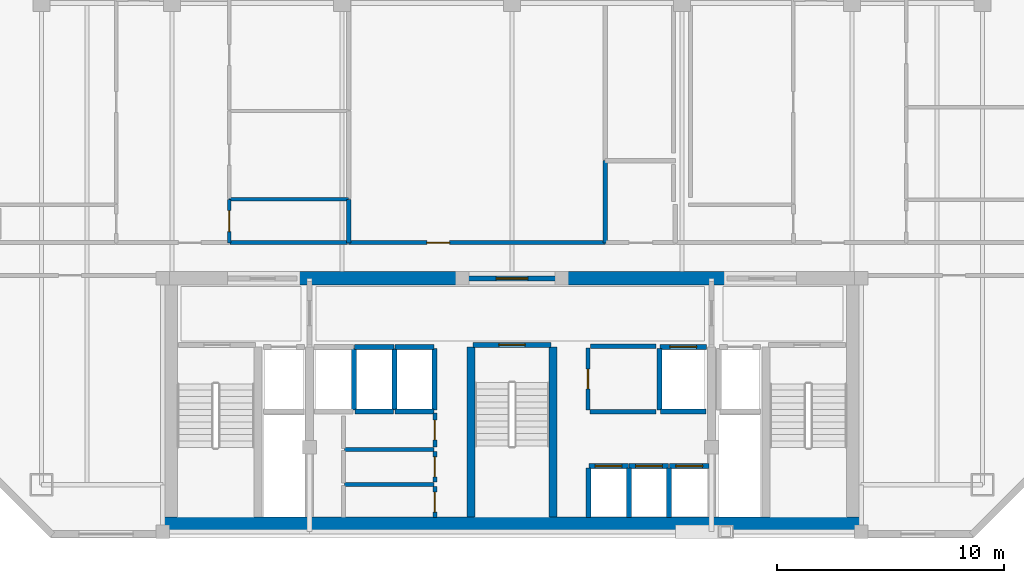
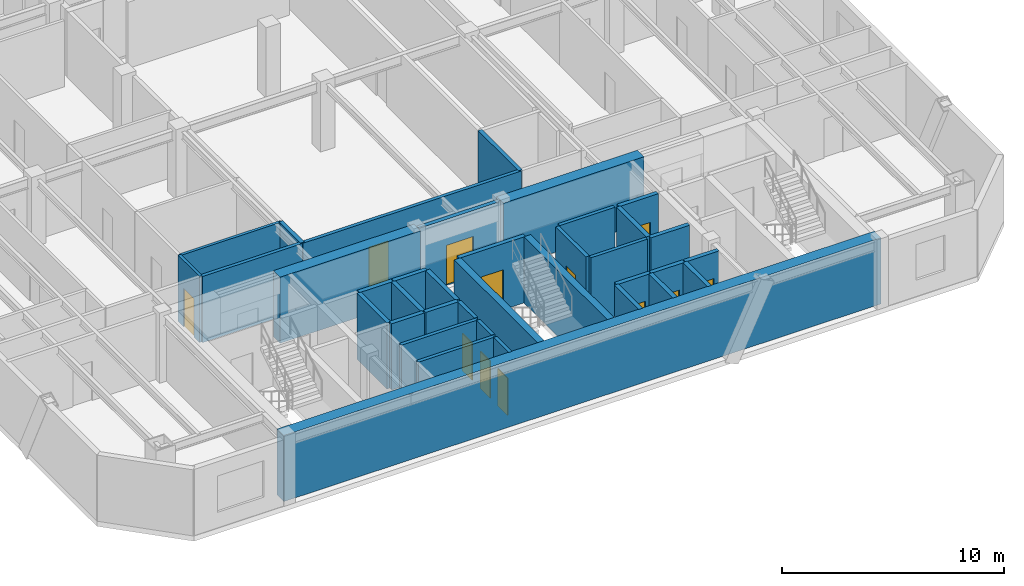
# One storey, part 5 of 9: 37 walls, 12 doors, 12 openings.
"""IFC4 building model written with IfcOpenShell, lengths in metres."""

from ifc_helpers import new_model, si_unit, direction, frame, frame_2d, origin, place, context, subcontext, project, spatial, rectangle, extrude, material, layer, layer_set, type_object, element, fill, save


model = new_model("IFC4")

# Units and contexts
model_context = context("Model", 3, precision=1e-05, world=origin(), true_north=direction((0.0, 1.0)))
body_context = subcontext(model_context, "Body", "Model", "MODEL_VIEW")
ifc_project = project(units=[si_unit("LENGTHUNIT", "METRE"), si_unit("AREAUNIT", "SQUARE_METRE"), si_unit("VOLUMEUNIT", "CUBIC_METRE"), si_unit("PLANEANGLEUNIT", "RADIAN"), si_unit("MASSUNIT", "GRAM", prefix="KILO")], contexts=[model_context])

# Site, building, storey
site_placement = place(None, origin())
site = spatial("IfcSite", under=ifc_project, at=site_placement, CompositionType="ELEMENT")
building_placement = place(site_placement, origin())
building = spatial("IfcBuilding", under=site, at=building_placement, Name="Ventersveld Concourse Tower", CompositionType="ELEMENT")
storey_placement = place(building_placement, frame((0.0, 0.0, 204.14990234375)))
storey = spatial("IfcBuildingStorey", under=building, at=storey_placement, Name="L50", CompositionType="ELEMENT", Elevation=204.14990234375)

# Walls
ifc_material_1 = material(Name="Concrete C50/60", Category="concrete")
ifc_layer_1 = layer(ifc_material_1, 0.35009765625)
ifc_layer_set_1 = layer_set([ifc_layer_1], Name="Concrete C50/60")
wall_type_1 = type_object("IfcWallType", Name="WL-CORE-350U", PredefinedType="SHEAR", material=ifc_layer_set_1)
for number, where, z_axis, x_axis, name in (
    (1, (26.93994140625, 0.919921875, 0.0), (0.0, 0.0, 1.0), (0.0, 1.0, 0.0), "L50 Core Internal Shear Web W-ST3-W"),
    (2, (30.56005859375, 0.919921875, 0.0), (0.0, 0.0, 1.0), (0.0, 1.0, 0.0), "L50 Core Internal Shear Web W-ST3-E"),
):
    element("IfcWall", number, at=place(storey_placement, frame(where, z_axis=z_axis, x_axis=x_axis)), inside=storey, type_object=wall_type_1, Name=name, PredefinedType="SHEAR", context=body_context, shape_type="SweptSolid", body=[
        extrude(rectangle(XDim=7.5, YDim=0.35009765625, at=frame_2d((3.75, 0.0))), origin(), (0.0, 0.0, 1.0), 3.630126953125),
    ])
ifc_layer_2 = layer(ifc_material_1, 0.60009765625)
ifc_layer_set_2 = layer_set([ifc_layer_2], Name="Concrete C50/60")
wall_type_2 = type_object("IfcWallType", Name="WL-CORE-600", PredefinedType="SHEAR", material=ifc_layer_set_2)
wall_1_placement = place(storey_placement, frame((13.25, 0.6201171875, 0.0), z_axis=(0.0, 0.0, 1.0), x_axis=(1.0, 0.0, 0.0)))
element("IfcWall", 3, at=wall_1_placement, inside=storey, type_object=wall_type_2, Name="L50 Rear Core South Shear Wall", PredefinedType="SHEAR", context=body_context, shape_type="SweptSolid", body=[
    extrude(rectangle(XDim=31.0, YDim=0.60009765625, at=frame_2d((15.5, 0.0))), origin(), (0.0, 0.0, 1.0), 3.630126953125),
])
for number, where, z_axis, x_axis, name in (
    (4, (19.300048828125, 11.449951171875, 0.0), (0.0, 0.0, 1.0), (1.0, 0.0, 0.0), "L50 Rear Core North Shear Wall NML"),
    (5, (30.89990234375, 11.449951171875, 0.0), (0.0, 0.0, 1.0), (1.0, 0.0, 0.0), "L50 Rear Core North Shear Wall NMR"),
):
    element("IfcWall", number, at=place(storey_placement, frame(where, z_axis=z_axis, x_axis=x_axis)), inside=storey, type_object=wall_type_2, Name=name, PredefinedType="SHEAR", context=body_context, shape_type="SweptSolid", body=[
        extrude(rectangle(XDim=7.300048828125, YDim=0.60009765625, at=frame_2d((3.64990234375, 0.0))), origin(), (0.0, 0.0, 1.0), 3.630126953125),
    ])

# Wall, opening, door
ifc_material_2 = material(Name="Fire-rated autoclaved aerated masonry blockwork", Category="masonry")
ifc_layer_3 = layer(ifc_material_2, 0.179931640625)
ifc_layer_set_3 = layer_set([ifc_layer_3], Name="Fire-rated autoclaved aerated masonry blockwork")
wall_type_3 = type_object("IfcWallType", Name="WL-CORR-180", PredefinedType="PARTITIONING", material=ifc_layer_set_3)
wall_2_placement = place(storey_placement, frame((25.35009765625, 0.89990234375, 0.0), z_axis=(0.0, 0.0, 1.0), x_axis=(0.0, 1.0, 0.0)))
wall_2 = element("IfcWall", 6, at=wall_2_placement, inside=storey, type_object=wall_type_3, Name="L50 Core Passage Wall SP-L50-RECB1S", PredefinedType="PARTITIONING", context=body_context, shape_type="SweptSolid", body=[
    extrude(rectangle(XDim=1.3701171875, YDim=0.179931640625, at=frame_2d((0.68505859375, 0.0))), origin(), (0.0, 0.0, 1.0), 3.630126953125),
])
opening_1_placement = place(wall_2_placement, frame((0.2451171875, 0.0, 0.0)))
opening_1 = element("IfcOpeningElement", 7, at=opening_1_placement, cuts=wall_2, Name="Opening FD5", PredefinedType="OPENING", context=body_context, shape_type="SweptSolid", body=[
    extrude(rectangle(XDim=0.8798828125, YDim=2.050048828125, at=frame_2d((0.43994140625, 1.02490234375))), frame((0.0, 0.10009765625, 0.0), z_axis=(0.0, -1.0, 0.0), x_axis=(1.0, 0.0, 0.0)), (0.0, 0.0, 1.0), 0.199951171875),
])
ifc_material_3 = material(Name="Galvanised painted steel", Category="steel")
door_type_1 = type_object("IfcDoorType", Name="DR-RISER-088", OperationType="NOTDEFINED", PredefinedType="DOOR", material=ifc_material_3)
door_1_placement = place(opening_1_placement, origin())
door_1 = element("IfcDoor", 8, at=door_1_placement, inside=storey, type_object=door_type_1, Name="L50 Core Room Door L50 Reclaimed Core Wine Cellar Store (CD-L50-2434)", OperationType="SINGLE_SWING_LEFT", OverallHeight=2.050048828125, OverallWidth=0.8798828125, PredefinedType="DOOR", context=body_context, shape_type="SweptSolid", body=[
    extrude(rectangle(XDim=0.8798828125, YDim=2.050048828125, at=frame_2d((0.43994140625, 1.02490234375))), frame((0.0, 0.02490234375, 0.0), z_axis=(0.0, -1.0, 0.0), x_axis=(1.0, 0.0, 0.0)), (0.0, 0.0, 1.0), 0.050048828125),
])
fill(opening_1, door_1)

# Wall
wall_3_placement = place(storey_placement, frame((21.360107421875, 2.360107421875, 0.0), z_axis=(0.0, 0.0, 1.0), x_axis=(1.0, 0.0, 0.0)))
element("IfcWall", 9, at=wall_3_placement, inside=storey, type_object=wall_type_3, Name="L50 Core Top Wall SP-L50-RECB1S", PredefinedType="PARTITIONING", context=body_context, shape_type="SweptSolid", body=[
    extrude(rectangle(XDim=3.93994140625, YDim=0.179931640625, at=frame_2d((1.969970703125, 0.0))), origin(), (0.0, 0.0, 1.0), 3.630126953125),
])

# Wall, opening, door
wall_4_placement = place(storey_placement, frame((25.35009765625, 2.469970703125, 0.0), z_axis=(0.0, 0.0, 1.0), x_axis=(0.0, 1.0, 0.0)))
wall_4 = element("IfcWall", 10, at=wall_4_placement, inside=storey, type_object=wall_type_3, Name="L50 Core Passage Wall SP-L50-RECB1M", PredefinedType="PARTITIONING", context=body_context, shape_type="SweptSolid", body=[
    extrude(rectangle(XDim=1.340087890625, YDim=0.179931640625, at=frame_2d((0.669921875, 0.0))), origin(), (0.0, 0.0, 1.0), 3.630126953125),
])
opening_2_placement = place(wall_4_placement, frame((0.22998046875, 0.0, 0.0)))
opening_2 = element("IfcOpeningElement", 11, at=opening_2_placement, cuts=wall_4, Name="Opening FD5", PredefinedType="OPENING", context=body_context, shape_type="SweptSolid", body=[
    extrude(rectangle(XDim=0.8798828125, YDim=2.050048828125, at=frame_2d((0.43994140625, 1.02490234375))), frame((0.0, 0.10009765625, 0.0), z_axis=(0.0, -1.0, 0.0), x_axis=(1.0, 0.0, 0.0)), (0.0, 0.0, 1.0), 0.199951171875),
])
door_2_placement = place(opening_2_placement, origin())
door_2 = element("IfcDoor", 12, at=door_2_placement, inside=storey, type_object=door_type_1, Name="L50 Core Room Door L50 Reclaimed Core Archive Store (CD-L50-2435)", OperationType="SINGLE_SWING_RIGHT", OverallHeight=2.050048828125, OverallWidth=0.8798828125, PredefinedType="DOOR", context=body_context, shape_type="SweptSolid", body=[
    extrude(rectangle(XDim=0.8798828125, YDim=2.050048828125, at=frame_2d((0.43994140625, 1.02490234375))), frame((0.0, 0.02490234375, 0.0), z_axis=(0.0, -1.0, 0.0), x_axis=(1.0, 0.0, 0.0)), (0.0, 0.0, 1.0), 0.050048828125),
])
fill(opening_2, door_2)

# Wall
wall_5_placement = place(storey_placement, frame((21.360107421875, 3.89990234375, 0.0), z_axis=(0.0, 0.0, 1.0), x_axis=(1.0, 0.0, 0.0)))
element("IfcWall", 13, at=wall_5_placement, inside=storey, type_object=wall_type_3, Name="L50 Core Top Wall SP-L50-RECB1M", PredefinedType="PARTITIONING", context=body_context, shape_type="SweptSolid", body=[
    extrude(rectangle(XDim=3.93994140625, YDim=0.179931640625, at=frame_2d((1.969970703125, 0.0))), origin(), (0.0, 0.0, 1.0), 3.630126953125),
])

# Wall, opening, door
wall_6_placement = place(storey_placement, frame((25.35009765625, 4.010009765625, 0.0), z_axis=(0.0, 0.0, 1.0), x_axis=(0.0, 1.0, 0.0)))
wall_6 = element("IfcWall", 14, at=wall_6_placement, inside=storey, type_object=wall_type_3, Name="L50 Core Passage Wall SP-L50-RECB1N", PredefinedType="PARTITIONING", context=body_context, shape_type="SweptSolid", body=[
    extrude(rectangle(XDim=1.510009765625, YDim=0.179931640625, at=frame_2d((0.7548828125, 0.0))), origin(), (0.0, 0.0, 1.0), 3.630126953125),
])
opening_3_placement = place(wall_6_placement, frame((0.31494140625, 0.0, 0.0)))
opening_3 = element("IfcOpeningElement", 15, at=opening_3_placement, cuts=wall_6, Name="Opening FD5", PredefinedType="OPENING", context=body_context, shape_type="SweptSolid", body=[
    extrude(rectangle(XDim=0.8798828125, YDim=2.050048828125, at=frame_2d((0.43994140625, 1.02490234375))), frame((0.0, 0.10009765625, 0.0), z_axis=(0.0, -1.0, 0.0), x_axis=(1.0, 0.0, 0.0)), (0.0, 0.0, 1.0), 0.199951171875),
])
door_3_placement = place(opening_3_placement, origin())
door_3 = element("IfcDoor", 16, at=door_3_placement, inside=storey, type_object=door_type_1, Name="L50 Core Room Door L50 Reclaimed Core Pram and Cycle Store (CD-L50-2436)", OperationType="SINGLE_SWING_LEFT", OverallHeight=2.050048828125, OverallWidth=0.8798828125, PredefinedType="DOOR", context=body_context, shape_type="SweptSolid", body=[
    extrude(rectangle(XDim=0.8798828125, YDim=2.050048828125, at=frame_2d((0.43994140625, 1.02490234375))), frame((0.0, 0.02490234375, 0.0), z_axis=(0.0, -1.0, 0.0), x_axis=(1.0, 0.0, 0.0)), (0.0, 0.0, 1.0), 0.050048828125),
])
fill(opening_3, door_3)

wall_7_placement = place(storey_placement, frame((32.10009765625, 5.64990234375, 0.0), z_axis=(0.0, 0.0, 1.0), x_axis=(0.0, 1.0, 0.0)))
wall_7 = element("IfcWall", 17, at=wall_7_placement, inside=storey, type_object=wall_type_3, Name="L50 Core Passage Wall SP-L50-CBAY1", PredefinedType="PARTITIONING", context=body_context, shape_type="SweptSolid", body=[
    extrude(rectangle(XDim=2.72998046875, YDim=0.179931640625, at=frame_2d((1.364990234375, 0.0))), origin(), (0.0, 0.0, 1.0), 3.630126953125),
])
opening_4_placement = place(wall_7_placement, frame((0.925048828125, 0.0, 0.0)))
opening_4 = element("IfcOpeningElement", 18, at=opening_4_placement, cuts=wall_7, Name="Opening FD5", PredefinedType="OPENING", context=body_context, shape_type="SweptSolid", body=[
    extrude(rectangle(XDim=0.8798828125, YDim=2.050048828125, at=frame_2d((0.43994140625, 1.02490234375))), frame((0.0, 0.10009765625, 0.0), z_axis=(0.0, -1.0, 0.0), x_axis=(1.0, 0.0, 0.0)), (0.0, 0.0, 1.0), 0.199951171875),
])
door_4_placement = place(opening_4_placement, origin())
door_4 = element("IfcDoor", 19, at=door_4_placement, inside=storey, type_object=door_type_1, Name="L50 Core Room Door L50 Core Housekeeping Linen Store (CD-L50-2437)", OperationType="SINGLE_SWING_RIGHT", OverallHeight=2.050048828125, OverallWidth=0.8798828125, PredefinedType="DOOR", context=body_context, shape_type="SweptSolid", body=[
    extrude(rectangle(XDim=0.8798828125, YDim=2.050048828125, at=frame_2d((0.43994140625, 1.02490234375))), frame((0.0, 0.02490234375, 0.0), z_axis=(0.0, -1.0, 0.0), x_axis=(1.0, 0.0, 0.0)), (0.0, 0.0, 1.0), 0.050048828125),
])
fill(opening_4, door_4)

# Walls
wall_8_placement = place(storey_placement, frame((32.219970703125, 8.4599609375, 0.0), z_axis=(0.0, 0.0, 1.0), x_axis=(1.0, 0.0, 0.0)))
element("IfcWall", 20, at=wall_8_placement, inside=storey, type_object=wall_type_3, Name="L50 Core Top Wall SP-L50-CBAY1", PredefinedType="PARTITIONING", context=body_context, shape_type="SweptSolid", body=[
    extrude(rectangle(XDim=2.880126953125, YDim=0.179931640625, at=frame_2d((1.43994140625, 0.0))), origin(), (0.0, 0.0, 1.0), 3.630126953125),
])
wall_9_placement = place(storey_placement, frame((32.179931640625, 5.570068359375, 0.0), z_axis=(0.0, 0.0, 1.0), x_axis=(1.0, 0.0, 0.0)))
element("IfcWall", 21, at=wall_9_placement, inside=storey, type_object=wall_type_3, Name="L50 Core Bot Wall SP-L50-CBAY1", PredefinedType="PARTITIONING", context=body_context, shape_type="SweptSolid", body=[
    extrude(rectangle(XDim=2.920166015625, YDim=0.179931640625, at=frame_2d((1.4599609375, 0.0))), origin(), (0.0, 0.0, 1.0), 3.630126953125),
])

# Wall, opening, door
wall_10_placement = place(storey_placement, frame((21.534912109375, 13.030029296875, 0.0), z_axis=(0.0, 0.0, 1.0), x_axis=(1.0, 0.0, 0.0)))
wall_10 = element("IfcWall", 22, at=wall_10_placement, inside=storey, type_object=wall_type_3, Name="L50 Interior Partition SP-L50-COR-SP-L50-SGLNG", PredefinedType="PARTITIONING", context=body_context, shape_type="SweptSolid", body=[
    extrude(rectangle(XDim=11.330078125, YDim=0.179931640625, at=frame_2d((5.6650390625, 0.0))), origin(), (0.0, 0.0, 1.0), 3.630126953125),
])
opening_5_placement = place(wall_10_placement, frame((3.465576171875, 0.0, 0.0)))
opening_5 = element("IfcOpeningElement", 23, at=opening_5_placement, cuts=wall_10, Name="Opening FD3", PredefinedType="OPENING", context=body_context, shape_type="SweptSolid", body=[
    extrude(rectangle(XDim=1.0, YDim=2.14990234375, at=frame_2d((0.5, 1.074951171875))), frame((0.0, 0.10009765625, 0.0), z_axis=(0.0, -1.0, 0.0), x_axis=(1.0, 0.0, 0.0)), (0.0, 0.0, 1.0), 0.199951171875),
])
ifc_material_4 = material(Name="Solid-core hardwood veneer timber", Category="wood")
door_type_2 = type_object("IfcDoorType", Name="DR-FLAT-100", OperationType="NOTDEFINED", PredefinedType="DOOR", material=ifc_material_4)
door_5_placement = place(opening_5_placement, origin())
door_5 = element("IfcDoor", 24, at=door_5_placement, inside=storey, type_object=door_type_2, Name="L50 Interior Door SP-L50-COR to SP-L50-SGLNG (D-L50-2440)", OperationType="SINGLE_SWING_RIGHT", OverallHeight=2.14990234375, OverallWidth=1.0, PredefinedType="DOOR", context=body_context, shape_type="SweptSolid", body=[
    extrude(rectangle(XDim=1.0, YDim=2.14990234375, at=frame_2d((0.5, 1.074951171875))), frame((0.0, 0.02490234375, 0.0), z_axis=(0.0, -1.0, 0.0), x_axis=(1.0, 0.0, 0.0)), (0.0, 0.0, 1.0), 0.050048828125),
])
fill(opening_5, door_5)

# Walls
wall_11_placement = place(storey_placement, frame((16.31005859375, 13.030029296875, 0.0), z_axis=(0.0, 0.0, 1.0), x_axis=(1.0, 0.0, 0.0)))
element("IfcWall", 25, at=wall_11_placement, inside=storey, type_object=wall_type_3, Name="L50 Interior Partition SP-L50-COR-SP-L50-50CW-KIT", PredefinedType="PARTITIONING", context=body_context, shape_type="SweptSolid", body=[
    extrude(rectangle(XDim=5.19482421875, YDim=0.179931640625, at=frame_2d((2.597412109375, 0.0))), origin(), (0.0, 0.0, 1.0), 3.630126953125),
])
ifc_layer_4 = layer(ifc_material_2, 0.199951171875)
ifc_layer_set_4 = layer_set([ifc_layer_4], Name="Fire-rated autoclaved aerated masonry blockwork")
wall_type_4 = type_object("IfcWallType", Name="WL-DEMISE-200", PredefinedType="PARTITIONING", material=ifc_layer_set_4)
wall_12_placement = place(storey_placement, frame((32.860107421875, 13.014892578125, 0.0), z_axis=(0.0, 0.0, 1.0), x_axis=(0.0, 1.0, 0.0)))
element("IfcWall", 26, at=wall_12_placement, inside=storey, type_object=wall_type_4, Name="L50 Interior Partition SP-L50-SGLNG-SP-L50-SGAWC", PredefinedType="PARTITIONING", context=body_context, shape_type="SweptSolid", body=[
    extrude(rectangle(XDim=3.64013671875, YDim=0.199951171875, at=frame_2d((1.820068359375, 0.0))), origin(), (0.0, 0.0, 1.0), 3.630126953125),
])
wall_13_placement = place(storey_placement, frame((21.5400390625, 13.014892578125, 0.0), z_axis=(0.0, 0.0, 1.0), x_axis=(0.0, 1.0, 0.0)))
element("IfcWall", 27, at=wall_13_placement, inside=storey, type_object=wall_type_4, Name="L50 Interior Partition SP-L50-SGLNG-SP-L50-50CW-KIT", PredefinedType="PARTITIONING", context=body_context, shape_type="SweptSolid", body=[
    extrude(rectangle(XDim=1.927978515625, YDim=0.199951171875, at=frame_2d((0.9638671875, 0.0))), origin(), (0.0, 0.0, 1.0), 3.630126953125),
])
ifc_layer_5 = layer(ifc_material_2, 0.219970703125)
ifc_layer_set_5 = layer_set([ifc_layer_5], Name="Fire-rated autoclaved aerated masonry blockwork")
wall_type_5 = type_object("IfcWallType", Name="WL-HOIST-220", PredefinedType="SOLIDWALL", material=ifc_layer_set_5)
wall_14_placement = place(storey_placement, frame((35.300048828125, 5.590087890625, 0.0), z_axis=(0.0, 0.0, 1.0), x_axis=(1.0, 0.0, 0.0)))
element("IfcWall", 28, at=wall_14_placement, inside=storey, type_object=wall_type_5, Name="L50 Lift Hoistway Back Wall SVL-01", PredefinedType="SOLIDWALL", context=body_context, shape_type="SweptSolid", body=[
    extrude(rectangle(XDim=2.0, YDim=0.219970703125, at=frame_2d((1.0, 0.0))), origin(), (0.0, 0.0, 1.0), 3.630126953125),
])
wall_15_placement = place(storey_placement, frame((35.260009765625, 5.64990234375, 0.0), z_axis=(0.0, 0.0, 1.0), x_axis=(0.0, 1.0, 0.0)))
element("IfcWall", 29, at=wall_15_placement, inside=storey, type_object=wall_type_5, Name="L50 Lift Hoistway Side Wall SVL-01W", PredefinedType="SOLIDWALL", context=body_context, shape_type="SweptSolid", body=[
    extrude(rectangle(XDim=2.7001953125, YDim=0.219970703125, at=frame_2d((1.35009765625, 0.0))), origin(), (0.0, 0.0, 1.0), 3.630126953125),
])

# Wall, opening, door
wall_16_placement = place(storey_placement, frame((35.280029296875, 8.429931640625, 0.0), z_axis=(0.0, 0.0, 1.0), x_axis=(1.0, 0.0, 0.0)))
wall_16 = element("IfcWall", 30, at=wall_16_placement, inside=storey, type_object=wall_type_5, Name="L50 Lift Hoistway Front Wall SVL-01", PredefinedType="SOLIDWALL", context=body_context, shape_type="SweptSolid", body=[
    extrude(rectangle(XDim=2.0400390625, YDim=0.219970703125, at=frame_2d((1.02001953125, 0.0))), origin(), (0.0, 0.0, 1.0), 3.630126953125),
])
opening_6_placement = place(wall_16_placement, frame((0.429931640625, 0.0, 0.0)))
opening_6 = element("IfcOpeningElement", 31, at=opening_6_placement, cuts=wall_16, Name="Opening LD2", PredefinedType="OPENING", context=body_context, shape_type="SweptSolid", body=[
    extrude(rectangle(XDim=1.179931640625, YDim=2.199951171875, at=frame_2d((0.58984375, 1.10009765625))), frame((0.0, 0.1201171875, 0.0), z_axis=(0.0, -1.0, 0.0), x_axis=(1.0, 0.0, 0.0)), (0.0, 0.0, 1.0), 0.239990234375),
])
ifc_material_5 = material(Name="Brushed stainless steel 316", Category="steel")
door_type_3 = type_object("IfcDoorType", Name="LD-PAX-118", OperationType="SLIDING_TO_LEFT", PredefinedType="DOOR", material=ifc_material_5)
door_6_placement = place(opening_6_placement, origin())
door_6 = element("IfcDoor", 32, at=door_6_placement, inside=storey, type_object=door_type_3, Name="L50 Lift landing door SVL-01 (LD-L50-SVL-01)", OperationType="SLIDING_TO_LEFT", OverallHeight=2.199951171875, OverallWidth=1.179931640625, PredefinedType="DOOR", context=body_context, shape_type="SweptSolid", body=[
    extrude(rectangle(XDim=1.179931640625, YDim=2.199951171875, at=frame_2d((0.58984375, 1.10009765625))), frame((0.0, 0.02490234375, 0.0), z_axis=(0.0, -1.0, 0.0), x_axis=(1.0, 0.0, 0.0)), (0.0, 0.0, 1.0), 0.050048828125),
])
fill(opening_6, door_6)

# Walls
for number, where, z_axis, x_axis, name in (
    (33, (32.1201171875, 0.89990234375, 0.0), (0.0, 0.0, 1.0), (0.0, 1.0, 0.0), "L50 Lift Hoistway Side Wall PM-01W"),
    (34, (33.89990234375, 0.89990234375, 0.0), (0.0, 0.0, 1.0), (0.0, 1.0, 0.0), "L50 Lift Hoistway Side Wall PM-01E"),
):
    element("IfcWall", number, at=place(storey_placement, frame(where, z_axis=z_axis, x_axis=x_axis)), inside=storey, type_object=wall_type_5, Name=name, PredefinedType="SOLIDWALL", context=body_context, shape_type="SweptSolid", body=[
        extrude(rectangle(XDim=2.2001953125, YDim=0.219970703125, at=frame_2d((1.10009765625, 0.0))), origin(), (0.0, 0.0, 1.0), 3.630126953125),
    ])

# Wall, opening, door
wall_17_placement = place(storey_placement, frame((32.139892578125, 3.179931640625, 0.0), z_axis=(0.0, 0.0, 1.0), x_axis=(1.0, 0.0, 0.0)))
wall_17 = element("IfcWall", 35, at=wall_17_placement, inside=storey, type_object=wall_type_5, Name="L50 Lift Hoistway Front Wall PM-01", PredefinedType="SOLIDWALL", context=body_context, shape_type="SweptSolid", body=[
    extrude(rectangle(XDim=1.739990234375, YDim=0.219970703125, at=frame_2d((0.8701171875, 0.0))), origin(), (0.0, 0.0, 1.0), 3.630126953125),
])
opening_7_placement = place(wall_17_placement, frame((0.280029296875, 0.0, 0.0)))
opening_7 = element("IfcOpeningElement", 36, at=opening_7_placement, cuts=wall_17, Name="Opening LD2", PredefinedType="OPENING", context=body_context, shape_type="SweptSolid", body=[
    extrude(rectangle(XDim=1.179931640625, YDim=2.199951171875, at=frame_2d((0.58984375, 1.10009765625))), frame((0.0, 0.1201171875, 0.0), z_axis=(0.0, -1.0, 0.0), x_axis=(1.0, 0.0, 0.0)), (0.0, 0.0, 1.0), 0.239990234375),
])
door_7_placement = place(opening_7_placement, origin())
door_7 = element("IfcDoor", 37, at=door_7_placement, inside=storey, type_object=door_type_3, Name="L50 Lift landing door PM-01 (LD-L50-PM-01)", OperationType="SLIDING_TO_RIGHT", OverallHeight=2.199951171875, OverallWidth=1.179931640625, PredefinedType="DOOR", context=body_context, shape_type="SweptSolid", body=[
    extrude(rectangle(XDim=1.179931640625, YDim=2.199951171875, at=frame_2d((0.58984375, 1.10009765625))), frame((0.0, 0.02490234375, 0.0), z_axis=(0.0, -1.0, 0.0), x_axis=(1.0, 0.0, 0.0)), (0.0, 0.0, 1.0), 0.050048828125),
])
fill(opening_7, door_7)

# Wall
wall_18_placement = place(storey_placement, frame((35.679931640625, 0.89990234375, 0.0), z_axis=(0.0, 0.0, 1.0), x_axis=(0.0, 1.0, 0.0)))
element("IfcWall", 38, at=wall_18_placement, inside=storey, type_object=wall_type_5, Name="L50 Lift Hoistway Side Wall PM-02E", PredefinedType="SOLIDWALL", context=body_context, shape_type="SweptSolid", body=[
    extrude(rectangle(XDim=2.2001953125, YDim=0.219970703125, at=frame_2d((1.10009765625, 0.0))), origin(), (0.0, 0.0, 1.0), 3.630126953125),
])

# Wall, opening, door
wall_19_placement = place(storey_placement, frame((33.919921875, 3.179931640625, 0.0), z_axis=(0.0, 0.0, 1.0), x_axis=(1.0, 0.0, 0.0)))
wall_19 = element("IfcWall", 39, at=wall_19_placement, inside=storey, type_object=wall_type_5, Name="L50 Lift Hoistway Front Wall PM-02", PredefinedType="SOLIDWALL", context=body_context, shape_type="SweptSolid", body=[
    extrude(rectangle(XDim=1.739990234375, YDim=0.219970703125, at=frame_2d((0.8701171875, 0.0))), origin(), (0.0, 0.0, 1.0), 3.630126953125),
])
opening_8_placement = place(wall_19_placement, frame((0.280029296875, 0.0, 0.0)))
opening_8 = element("IfcOpeningElement", 40, at=opening_8_placement, cuts=wall_19, Name="Opening LD2", PredefinedType="OPENING", context=body_context, shape_type="SweptSolid", body=[
    extrude(rectangle(XDim=1.179931640625, YDim=2.199951171875, at=frame_2d((0.58984375, 1.10009765625))), frame((0.0, 0.1201171875, 0.0), z_axis=(0.0, -1.0, 0.0), x_axis=(1.0, 0.0, 0.0)), (0.0, 0.0, 1.0), 0.239990234375),
])
door_8_placement = place(opening_8_placement, origin())
door_8 = element("IfcDoor", 41, at=door_8_placement, inside=storey, type_object=door_type_3, Name="L50 Lift landing door PM-02 (LD-L50-PM-02)", OperationType="SLIDING_TO_LEFT", OverallHeight=2.199951171875, OverallWidth=1.179931640625, PredefinedType="DOOR", context=body_context, shape_type="SweptSolid", body=[
    extrude(rectangle(XDim=1.179931640625, YDim=2.199951171875, at=frame_2d((0.58984375, 1.10009765625))), frame((0.0, 0.02490234375, 0.0), z_axis=(0.0, -1.0, 0.0), x_axis=(1.0, 0.0, 0.0)), (0.0, 0.0, 1.0), 0.050048828125),
])
fill(opening_8, door_8)

wall_20_placement = place(storey_placement, frame((35.699951171875, 3.179931640625, 0.0), z_axis=(0.0, 0.0, 1.0), x_axis=(1.0, 0.0, 0.0)))
wall_20 = element("IfcWall", 42, at=wall_20_placement, inside=storey, type_object=wall_type_5, Name="L50 Lift Hoistway Front Wall PM-03", PredefinedType="SOLIDWALL", context=body_context, shape_type="SweptSolid", body=[
    extrude(rectangle(XDim=1.739990234375, YDim=0.219970703125, at=frame_2d((0.8701171875, 0.0))), origin(), (0.0, 0.0, 1.0), 3.630126953125),
])
opening_9_placement = place(wall_20_placement, frame((0.280029296875, 0.0, 0.0)))
opening_9 = element("IfcOpeningElement", 43, at=opening_9_placement, cuts=wall_20, Name="Opening LD2", PredefinedType="OPENING", context=body_context, shape_type="SweptSolid", body=[
    extrude(rectangle(XDim=1.179931640625, YDim=2.199951171875, at=frame_2d((0.58984375, 1.10009765625))), frame((0.0, 0.1201171875, 0.0), z_axis=(0.0, -1.0, 0.0), x_axis=(1.0, 0.0, 0.0)), (0.0, 0.0, 1.0), 0.239990234375),
])
door_9_placement = place(opening_9_placement, origin())
door_9 = element("IfcDoor", 44, at=door_9_placement, inside=storey, type_object=door_type_3, Name="L50 Lift landing door PM-03 (LD-L50-PM-03)", OperationType="SLIDING_TO_RIGHT", OverallHeight=2.199951171875, OverallWidth=1.179931640625, PredefinedType="DOOR", context=body_context, shape_type="SweptSolid", body=[
    extrude(rectangle(XDim=1.179931640625, YDim=2.199951171875, at=frame_2d((0.58984375, 1.10009765625))), frame((0.0, 0.02490234375, 0.0), z_axis=(0.0, -1.0, 0.0), x_axis=(1.0, 0.0, 0.0)), (0.0, 0.0, 1.0), 0.050048828125),
])
fill(opening_9, door_9)

# Walls
wall_21_placement = place(storey_placement, frame((21.780029296875, 5.64990234375, 0.0), z_axis=(0.0, 0.0, 1.0), x_axis=(0.0, 1.0, 0.0)))
element("IfcWall", 45, at=wall_21_placement, inside=storey, type_object=wall_type_5, Name="L50 Lift Hoistway Side Wall PH-01E", PredefinedType="SOLIDWALL", context=body_context, shape_type="SweptSolid", body=[
    extrude(rectangle(XDim=2.7001953125, YDim=0.219970703125, at=frame_2d((1.35009765625, 0.0))), origin(), (0.0, 0.0, 1.0), 3.630126953125),
])
wall_22_placement = place(storey_placement, frame((21.820068359375, 5.590087890625, 0.0), z_axis=(0.0, 0.0, 1.0), x_axis=(1.0, 0.0, 0.0)))
element("IfcWall", 46, at=wall_22_placement, inside=storey, type_object=wall_type_5, Name="L50 Lift Hoistway Back Wall PH-02", PredefinedType="SOLIDWALL", context=body_context, shape_type="SweptSolid", body=[
    extrude(rectangle(XDim=1.699951171875, YDim=0.219970703125, at=frame_2d((0.85009765625, 0.0))), origin(), (0.0, 0.0, 1.0), 3.630126953125),
])
wall_23_placement = place(storey_placement, frame((23.56005859375, 5.64990234375, 0.0), z_axis=(0.0, 0.0, 1.0), x_axis=(0.0, 1.0, 0.0)))
element("IfcWall", 47, at=wall_23_placement, inside=storey, type_object=wall_type_5, Name="L50 Lift Hoistway Side Wall PH-02E", PredefinedType="SOLIDWALL", context=body_context, shape_type="SweptSolid", body=[
    extrude(rectangle(XDim=2.7001953125, YDim=0.219970703125, at=frame_2d((1.35009765625, 0.0))), origin(), (0.0, 0.0, 1.0), 3.630126953125),
])
wall_24_placement = place(storey_placement, frame((21.800048828125, 8.429931640625, 0.0), z_axis=(0.0, 0.0, 1.0), x_axis=(1.0, 0.0, 0.0)))
element("IfcWall", 48, at=wall_24_placement, inside=storey, type_object=wall_type_5, Name="L50 Lift Hoistway Front Wall PH-02", PredefinedType="SOLIDWALL", context=body_context, shape_type="SweptSolid", body=[
    extrude(rectangle(XDim=1.739990234375, YDim=0.219970703125, at=frame_2d((0.8701171875, 0.0))), origin(), (0.0, 0.0, 1.0), 3.630126953125),
])
wall_25_placement = place(storey_placement, frame((23.60009765625, 5.590087890625, 0.0), z_axis=(0.0, 0.0, 1.0), x_axis=(1.0, 0.0, 0.0)))
element("IfcWall", 49, at=wall_25_placement, inside=storey, type_object=wall_type_5, Name="L50 Lift Hoistway Back Wall PH-03", PredefinedType="SOLIDWALL", context=body_context, shape_type="SweptSolid", body=[
    extrude(rectangle(XDim=1.699951171875, YDim=0.219970703125, at=frame_2d((0.85009765625, 0.0))), origin(), (0.0, 0.0, 1.0), 3.630126953125),
])
wall_26_placement = place(storey_placement, frame((25.340087890625, 5.64990234375, 0.0), z_axis=(0.0, 0.0, 1.0), x_axis=(0.0, 1.0, 0.0)))
element("IfcWall", 50, at=wall_26_placement, inside=storey, type_object=wall_type_5, Name="L50 Lift Hoistway Side Wall PH-03E", PredefinedType="SOLIDWALL", context=body_context, shape_type="SweptSolid", body=[
    extrude(rectangle(XDim=2.7001953125, YDim=0.219970703125, at=frame_2d((1.35009765625, 0.0))), origin(), (0.0, 0.0, 1.0), 3.630126953125),
])
wall_27_placement = place(storey_placement, frame((23.580078125, 8.429931640625, 0.0), z_axis=(0.0, 0.0, 1.0), x_axis=(1.0, 0.0, 0.0)))
element("IfcWall", 51, at=wall_27_placement, inside=storey, type_object=wall_type_5, Name="L50 Lift Hoistway Front Wall PH-03", PredefinedType="SOLIDWALL", context=body_context, shape_type="SweptSolid", body=[
    extrude(rectangle(XDim=1.739990234375, YDim=0.219970703125, at=frame_2d((0.8701171875, 0.0))), origin(), (0.0, 0.0, 1.0), 3.630126953125),
])

# Wall, opening, door
wall_28_placement = place(storey_placement, frame((27.0400390625, 8.52001953125, 0.0), z_axis=(0.0, 0.0, 1.0), x_axis=(1.0, 0.0, 0.0)))
wall_28 = element("IfcWall", 52, at=wall_28_placement, inside=storey, type_object=wall_type_5, Name="L50 Escape Stair ST03 Fire Wall", PredefinedType="SOLIDWALL", context=body_context, shape_type="SweptSolid", body=[
    extrude(rectangle(XDim=3.419921875, YDim=0.219970703125, at=frame_2d((1.7099609375, 0.0))), origin(), (0.0, 0.0, 1.0), 3.630126953125),
])
opening_10_placement = place(wall_28_placement, frame((1.135009765625, 0.0, 0.0)))
opening_10 = element("IfcOpeningElement", 53, at=opening_10_placement, cuts=wall_28, Name="Opening FD1", PredefinedType="OPENING", context=body_context, shape_type="SweptSolid", body=[
    extrude(rectangle(XDim=1.14990234375, YDim=2.199951171875, at=frame_2d((0.574951171875, 1.10009765625))), frame((0.0, 0.1201171875, 0.0), z_axis=(0.0, -1.0, 0.0), x_axis=(1.0, 0.0, 0.0)), (0.0, 0.0, 1.0), 0.239990234375),
])
door_type_4 = type_object("IfcDoorType", Name="DR-STAIR-115", OperationType="NOTDEFINED", PredefinedType="DOOR", material=ifc_material_3)
door_10_placement = place(opening_10_placement, origin())
door_10 = element("IfcDoor", 54, at=door_10_placement, inside=storey, type_object=door_type_4, Name="L50 Escape Stair Door ST03 (SD-L50-2428)", OperationType="SINGLE_SWING_LEFT", OverallHeight=2.199951171875, OverallWidth=1.14990234375, PredefinedType="DOOR", context=body_context, shape_type="SweptSolid", body=[
    extrude(rectangle(XDim=1.14990234375, YDim=2.199951171875, at=frame_2d((0.574951171875, 1.10009765625))), frame((0.0, 0.02490234375, 0.0), z_axis=(0.0, -1.0, 0.0), x_axis=(1.0, 0.0, 0.0)), (0.0, 0.0, 1.0), 0.050048828125),
])
fill(opening_10, door_10)

wall_29_placement = place(storey_placement, frame((26.6298828125, 11.449951171875, 0.0), z_axis=(0.0, 0.0, 1.0), x_axis=(1.0, 0.0, 0.0)))
wall_29 = element("IfcWall", 55, at=wall_29_placement, inside=storey, type_object=wall_type_5, Name="L50 Core North Fire Portal PLOB-OUT", PredefinedType="SOLIDWALL", context=body_context, shape_type="SweptSolid", body=[
    extrude(rectangle(XDim=4.240234375, YDim=0.219970703125, at=frame_2d((2.1201171875, 0.0))), origin(), (0.0, 0.0, 1.0), 3.630126953125),
])
opening_11_placement = place(wall_29_placement, frame((1.419921875, 0.0, 0.0)))
opening_11 = element("IfcOpeningElement", 56, at=opening_11_placement, cuts=wall_29, Name="Opening FD4", PredefinedType="OPENING", context=body_context, shape_type="SweptSolid", body=[
    extrude(rectangle(XDim=1.39990234375, YDim=2.199951171875, at=frame_2d((0.699951171875, 1.10009765625))), frame((0.0, 0.1201171875, 0.0), z_axis=(0.0, -1.0, 0.0), x_axis=(1.0, 0.0, 0.0)), (0.0, 0.0, 1.0), 0.239990234375),
])
door_type_5 = type_object("IfcDoorType", Name="DR-PLANT-140", OperationType="DOUBLE_DOOR_SINGLE_SWING", PredefinedType="DOOR", material=ifc_material_3)
door_11_placement = place(opening_11_placement, origin())
door_11 = element("IfcDoor", 57, at=door_11_placement, inside=storey, type_object=door_type_5, Name="L50 Core Lobby Fire Door PLOB-OUT (FD-L50-2432)", OperationType="DOUBLE_DOOR_SINGLE_SWING", OverallHeight=2.199951171875, OverallWidth=1.39990234375, PredefinedType="DOOR", context=body_context, shape_type="SweptSolid", body=[
    extrude(rectangle(XDim=1.39990234375, YDim=2.199951171875, at=frame_2d((0.699951171875, 1.10009765625))), frame((0.0, 0.02490234375, 0.0), z_axis=(0.0, -1.0, 0.0), x_axis=(1.0, 0.0, 0.0)), (0.0, 0.0, 1.0), 0.050048828125),
])
fill(opening_11, door_11)

ifc_material_6 = material(Name="Autoclaved aerated masonry blockwork", Category="masonry")
ifc_layer_6 = layer(ifc_material_6, 0.14990234375)
ifc_layer_set_6 = layer_set([ifc_layer_6], Name="Autoclaved aerated masonry blockwork")
wall_type_6 = type_object("IfcWallType", Name="WL-INT-150", PredefinedType="PARTITIONING", material=ifc_layer_set_6)
wall_30_placement = place(storey_placement, frame((16.27490234375, 13.014892578125, 0.0), z_axis=(0.0, 0.0, 1.0), x_axis=(0.0, 1.0, 0.0)))
wall_30 = element("IfcWall", 58, at=wall_30_placement, inside=storey, type_object=wall_type_6, Name="L50 Interior Partition SP-L50-50CW-FOY-SP-L50-50CW-KIT", PredefinedType="PARTITIONING", context=body_context, shape_type="SweptSolid", body=[
    extrude(rectangle(XDim=1.927978515625, YDim=0.14990234375, at=frame_2d((0.9638671875, 0.0))), origin(), (0.0, 0.0, 1.0), 3.630126953125),
])
opening_12_placement = place(wall_30_placement, frame((0.50390625, 0.0, 0.0)))
opening_12 = element("IfcOpeningElement", 59, at=opening_12_placement, cuts=wall_30, Name="Opening ID1", PredefinedType="OPENING", context=body_context, shape_type="SweptSolid", body=[
    extrude(rectangle(XDim=0.919921875, YDim=2.10009765625, at=frame_2d((0.4599609375, 1.050048828125))), frame((0.0, 0.0849609375, 0.0), z_axis=(0.0, -1.0, 0.0), x_axis=(1.0, 0.0, 0.0)), (0.0, 0.0, 1.0), 0.169921875),
])
door_type_6 = type_object("IfcDoorType", Name="DR-ROOM-092", OperationType="NOTDEFINED", PredefinedType="DOOR", material=ifc_material_4)
door_12_placement = place(opening_12_placement, origin())
door_12 = element("IfcDoor", 60, at=door_12_placement, inside=storey, type_object=door_type_6, Name="L50 Interior Door SP-L50-50CW-FOY to SP-L50-50CW-KIT (D-L50-2448)", OperationType="SINGLE_SWING_RIGHT", OverallHeight=2.10009765625, OverallWidth=0.919921875, PredefinedType="DOOR", context=body_context, shape_type="SweptSolid", body=[
    extrude(rectangle(XDim=0.919921875, YDim=2.10009765625, at=frame_2d((0.4599609375, 1.050048828125))), frame((0.0, 0.02490234375, 0.0), z_axis=(0.0, -1.0, 0.0), x_axis=(1.0, 0.0, 0.0)), (0.0, 0.0, 1.0), 0.050048828125),
])
fill(opening_12, door_12)

# Wall
wall_31_placement = place(storey_placement, frame((16.27001953125, 14.93798828125, 0.0), z_axis=(0.0, 0.0, 1.0), x_axis=(1.0, 0.0, 0.0)))
element("IfcWall", 61, at=wall_31_placement, inside=storey, type_object=wall_type_6, Name="L50 Interior Partition SP-L50-50CW-KIT-SP-L50-50CW-SEMR1", PredefinedType="PARTITIONING", context=body_context, shape_type="SweptSolid", body=[
    extrude(rectangle(XDim=5.27490234375, YDim=0.14990234375, at=frame_2d((2.637451171875, 0.0))), origin(), (0.0, 0.0, 1.0), 3.630126953125),
])

save(model, "model.ifc")
